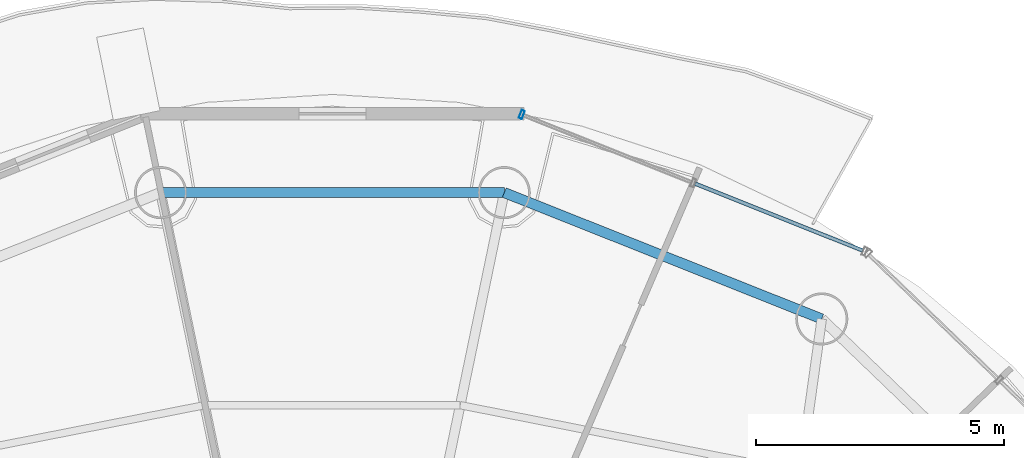
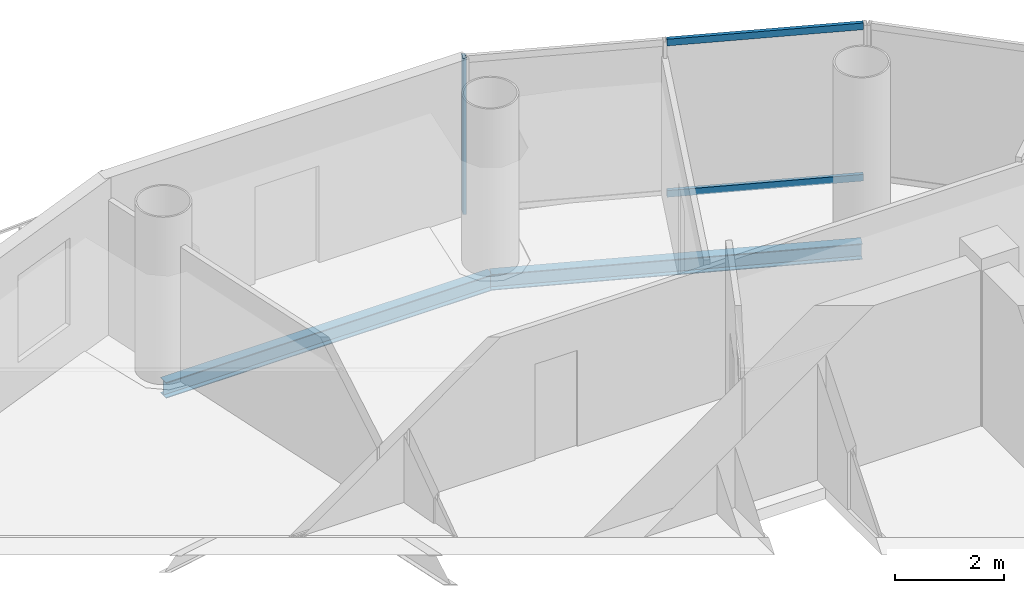
# One storey, part 14 of 23: 3 members, 2 beams, 1 element without a shape of its own.
"""IFC4 building model written with IfcOpenShell, lengths in metres."""

from ifc_helpers import new_model, si_unit, direction, frame, origin, origin_2d, place, context, subcontext, project, spatial, hollow_rectangle, i_section, extrude, source, transform, mapped, material, material_profile, profile_set, type_object, element, aggregate, save


model = new_model("IFC4")

# Units and contexts
model_context = context("Model", 3, precision=1e-05, world=origin(), true_north=direction((-0.2419218956, 0.970295726276)))
body_context = subcontext(model_context, "Body", "Model", "MODEL_VIEW")
ifc_project = project(units=[si_unit("LENGTHUNIT", "METRE"), si_unit("AREAUNIT", "SQUARE_METRE"), si_unit("VOLUMEUNIT", "CUBIC_METRE"), si_unit("PLANEANGLEUNIT", "RADIAN"), si_unit("MASSUNIT", "GRAM", prefix="KILO")], contexts=[model_context])

# Site, building, storey
site_placement = place(None, origin())
site = spatial("IfcSite", under=ifc_project, at=site_placement, CompositionType="ELEMENT")
building_placement = place(site_placement, origin())
building = spatial("IfcBuilding", under=site, at=building_placement, Name="Cobrevalo Terracotta Tower", CompositionType="ELEMENT")
storey_placement = place(building_placement, frame((0.0, 0.0, 255.699951171875)))
storey = spatial("IfcBuildingStorey", under=building, at=storey_placement, Name="L67", CompositionType="ELEMENT", Elevation=255.699951171875)

# Beams
ifc_material_1 = material(Name="Steel S355", Category="steel")
ifc_material_profile_1 = material_profile(ifc_material_1, i_section(OverallWidth=0.205078125, OverallDepth=0.35400390625, WebThickness=0.009521484375, FlangeThickness=0.016845703125, at=origin_2d()), Name="W 360x79")
ifc_profile_set_1 = profile_set([ifc_material_profile_1], Name="Steel S355")
beam_type = type_object("IfcBeamType", Name="Structural Spandrel W 360x79 (Steel S355)", PredefinedType="SPANDREL", material=ifc_profile_set_1)
beam_1_placement = place(storey_placement, frame((47.861328125, 40.9765625, -0.43701171875), z_axis=(-0.929149986048, 0.369702993533, 0.0), x_axis=(-0.369702993533, -0.929149986048, 0.0)))
element("IfcBeam", 1, at=beam_1_placement, inside=storey, type_object=beam_type, Name="L67 perimeter ring spandrel 03", PredefinedType="SPANDREL", context=body_context, shape_type="SweptSolid", body=[
    extrude(i_section(OverallWidth=0.205078125, OverallDepth=0.35400390625, WebThickness=0.009521484375, FlangeThickness=0.016845703125, at=origin_2d()), origin(), (0.0, 0.0, 1.0), 6.88623046875),
])
beam_2_placement = place(storey_placement, frame((41.462890625, 43.5224609375, -0.43701171875), z_axis=(-1.0, 0.0, 0.0), x_axis=(0.0, -1.0, 0.0)))
element("IfcBeam", 2, at=beam_2_placement, inside=storey, type_object=beam_type, Name="L67 perimeter ring spandrel 04", PredefinedType="SPANDREL", context=body_context, shape_type="SweptSolid", body=[
    extrude(i_section(OverallWidth=0.205078125, OverallDepth=0.35400390625, WebThickness=0.009521484375, FlangeThickness=0.016845703125, at=origin_2d()), origin(), (0.0, 0.0, 1.0), 6.92578125),
])

# Curtain wall, members
ifc_material_2 = material(Name="Anodized aluminium", Category="aluminium")
curtain_wall_type = type_object("IfcCurtainWallType", Name="Upper-tower triple-glazed penthouse curtain wall CW-U3", PredefinedType="NOTDEFINED", material=ifc_material_2)
curtain_wall_placement = place(storey_placement, origin())
curtain_wall = element("IfcCurtainWall", 3, at=curtain_wall_placement, inside=storey, type_object=curtain_wall_type, Name="L67 curtain wall CW-L67-S03", PredefinedType="NOTDEFINED")
ifc_material_profile_2 = material_profile(ifc_material_2, hollow_rectangle(XDim=0.070068359375, YDim=0.169921875, WallThickness=0.00439453125, at=origin_2d()), Name="CWM 70x170")
ifc_profile_set_2 = profile_set([ifc_material_profile_2], Name="Anodized aluminium")
member_type_1 = type_object("IfcMemberType", Name="Upper tower unitised mullion 70x170", PredefinedType="MULLION", material=ifc_profile_set_2)
shared_shape_1 = source(origin(), body_context, "Body", "SweptSolid", [
    extrude(hollow_rectangle(XDim=0.070068359375, YDim=0.169921875, WallThickness=0.00439453125, at=origin_2d()), origin(), (0.0, 0.0, 1.0), 3.489990234375),
])
member_1_placement = place(storey_placement, frame((41.816162109375, 45.096435546875, 0.0), z_axis=(0.0, 0.0, 1.0), x_axis=(-0.928718980883, 0.370784377433, 0.0)))
member_1 = element("IfcMember", 4, at=member_1_placement, type_object=member_type_1, Name="CW-L67-S03 vertical mullion 03", PredefinedType="MULLION", context=body_context, shape_type="MappedRepresentation", body=[
    mapped(shared_shape_1, transform((0.0, 0.0, 0.0), scale=1.0)),
])
ifc_material_profile_3 = material_profile(ifc_material_2, hollow_rectangle(XDim=0.074951171875, YDim=0.14990234375, WallThickness=0.00439453125, at=origin_2d()), Name="CWT 75x150")
ifc_profile_set_3 = profile_set([ifc_material_profile_3], Name="Anodized aluminium")
member_type_2 = type_object("IfcMemberType", Name="Tower unitised aluminium transom 75x150", PredefinedType="USERDEFINED", material=ifc_profile_set_3)
shared_shape_2 = source(origin(), body_context, "Body", "SweptSolid", [
    extrude(hollow_rectangle(XDim=0.074951171875, YDim=0.14990234375, WallThickness=0.00439453125, at=origin_2d()), origin(), (0.0, 0.0, 1.0), 3.63916015625),
])
member_2_placement = place(storey_placement, frame((48.68701171875, 42.353271484375, 0.050048828125), z_axis=(-0.928712471544, 0.370800681227, 0.0), x_axis=(-0.370800681227, -0.928712471544, 0.0)))
member_2 = element("IfcMember", 5, at=member_2_placement, type_object=member_type_2, Name="CW-L67-S03 transom B01-T1", ObjectType="TRANSOM", PredefinedType="USERDEFINED", context=body_context, shape_type="MappedRepresentation", body=[
    mapped(shared_shape_2, transform((0.0, 0.0, 0.0), scale=1.0)),
])
member_3_placement = place(storey_placement, frame((48.68701171875, 42.353271484375, 3.43994140625), z_axis=(-0.928712471544, 0.370800681227, 0.0), x_axis=(-0.370800681227, -0.928712471544, 0.0)))
member_3 = element("IfcMember", 6, at=member_3_placement, type_object=member_type_2, Name="CW-L67-S03 transom B01-T2", ObjectType="TRANSOM", PredefinedType="USERDEFINED", context=body_context, shape_type="MappedRepresentation", body=[
    mapped(shared_shape_2, transform((0.0, 0.0, 0.0), scale=1.0)),
])
aggregate(curtain_wall, [member_1, member_2, member_3])

save(model, "model.ifc")
